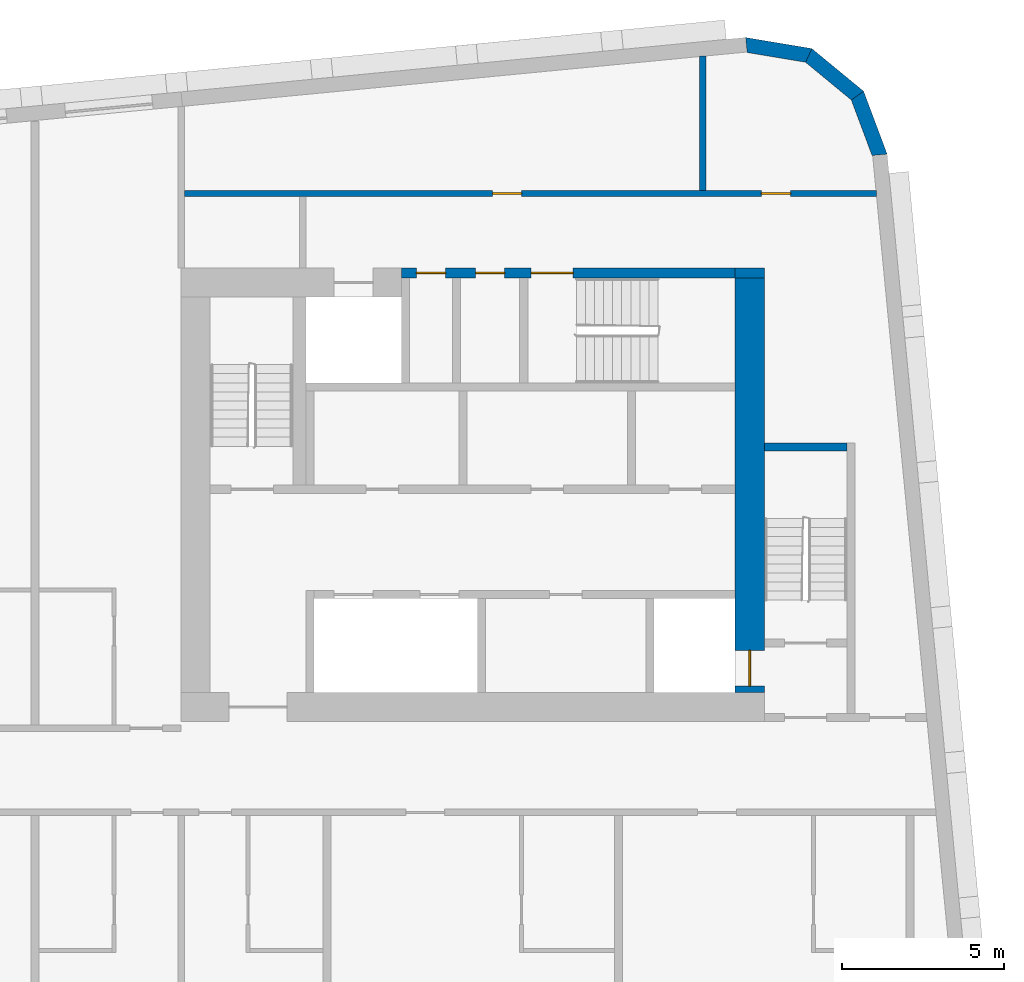
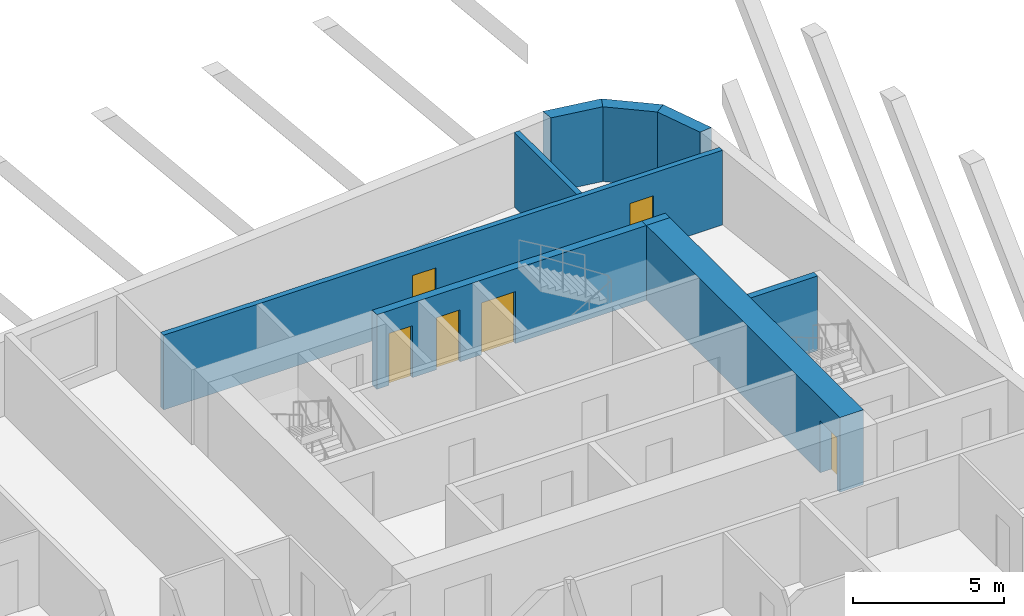
# One storey, part 7 of 12: 9 walls, 6 doors, 6 openings.
"""IFC4 building model written with IfcOpenShell, lengths in metres."""

from ifc_helpers import new_model, si_unit, direction, frame, frame_2d, origin, place, context, subcontext, project, spatial, polyline, rectangle, outline, extrude, material, layer, layer_set, type_object, element, fill, save


model = new_model("IFC4")

# Units and contexts
model_context = context("Model", 3, precision=1e-05, world=origin(), true_north=direction((0.0, 1.0)))
body_context = subcontext(model_context, "Body", "Model", "MODEL_VIEW")
ifc_project = project(units=[si_unit("LENGTHUNIT", "METRE"), si_unit("AREAUNIT", "SQUARE_METRE"), si_unit("VOLUMEUNIT", "CUBIC_METRE"), si_unit("PLANEANGLEUNIT", "RADIAN"), si_unit("MASSUNIT", "GRAM", prefix="KILO")], contexts=[model_context])

# Site, building, storey
site_placement = place(None, origin())
site = spatial("IfcSite", under=ifc_project, at=site_placement, CompositionType="ELEMENT")
building_placement = place(site_placement, origin())
building = spatial("IfcBuilding", under=site, at=building_placement, Name="Kajstack Hotel Tower", CompositionType="ELEMENT")
storey_placement = place(building_placement, frame((0.0, 0.0, 288.300048828125)))
storey = spatial("IfcBuildingStorey", under=building, at=storey_placement, Name="L72", CompositionType="ELEMENT", Elevation=288.300048828125)

# Wall
ifc_material_1 = material(Name="Concrete C60/75", Category="concrete")
ifc_layer_1 = layer(ifc_material_1, 0.89990234375)
ifc_layer_set_1 = layer_set([ifc_layer_1], Name="Core wall 900")
wall_type_1 = type_object("IfcWallType", Name="Core wall 900", PredefinedType="SHEAR", material=ifc_layer_set_1)
wall_1_placement = place(storey_placement, frame((30.60009765625, 15.35009765625, 0.0), z_axis=(0.0, 0.0, 1.0), x_axis=(1.0, 0.0, 0.0)))
element("IfcWall", 1, at=wall_1_placement, inside=storey, type_object=wall_type_1, Name="Core wall E RSW", PredefinedType="SHEAR", context=body_context, shape_type="SweptSolid", body=[
    extrude(rectangle(XDim=0.89990234375, YDim=0.300048828125, at=frame_2d((0.449951171875, 0.0))), origin(), (0.0, 0.0, 1.0), 3.02001953125),
])

# Wall, opening, door
wall_2_placement = place(storey_placement, frame((31.050048828125, 2.39990234375, 0.0), z_axis=(0.0, 0.0, 1.0), x_axis=(0.0, 1.0, 0.0)))
wall_2 = element("IfcWall", 2, at=wall_2_placement, inside=storey, type_object=wall_type_1, Name="Core wall E RW", PredefinedType="SHEAR", context=body_context, shape_type="SweptSolid", body=[
    extrude(rectangle(XDim=12.800048828125, YDim=0.89990234375, at=frame_2d((6.39990234375, 0.0))), origin(), (0.0, 0.0, 1.0), 3.02001953125),
])
opening_1_placement = place(wall_2_placement, frame((0.199951171875, 0.0, 0.0)))
opening_1 = element("IfcOpeningElement", 3, at=opening_1_placement, cuts=wall_2, Name="Opening LD-FF2", PredefinedType="OPENING", context=body_context, shape_type="SweptSolid", body=[
    extrude(rectangle(XDim=1.10009765625, YDim=2.10009765625, at=frame_2d((0.550048828125, 1.050048828125))), frame((0.0, 0.4599609375, 0.0), z_axis=(0.0, -1.0, 0.0), x_axis=(1.0, 0.0, 0.0)), (0.0, 0.0, 1.0), 0.919921875),
])
ifc_material_2 = material(Name="Stainless steel", Category="steel")
door_type_1 = type_object("IfcDoorType", Name="Fire-fighting lift landing door 1100", OperationType="SLIDING_TO_LEFT", PredefinedType="DOOR", material=ifc_material_2)
door_1_placement = place(opening_1_placement, origin())
door_1 = element("IfcDoor", 4, at=door_1_placement, inside=storey, type_object=door_type_1, Name="Landing door FF2", OperationType="SLIDING_TO_LEFT", OverallHeight=2.10009765625, OverallWidth=1.10009765625, PredefinedType="DOOR", context=body_context, shape_type="SweptSolid", body=[
    extrude(rectangle(XDim=1.10009765625, YDim=2.10009765625, at=frame_2d((0.550048828125, 1.050048828125))), frame((0.0, 0.02490234375, 0.0), z_axis=(0.0, -1.0, 0.0), x_axis=(1.0, 0.0, 0.0)), (0.0, 0.0, 1.0), 0.050048828125),
])
fill(opening_1, door_1)

# Walls
ifc_material_3 = material(Name="Terracotta-faced brick masonry", Category="masonry")
ifc_layer_2 = layer(ifc_material_3, 0.449951171875)
ifc_layer_set_2 = layer_set([ifc_layer_2], Name="EW-TERRA")
wall_type_2 = type_object("IfcWallType", Name="EW-TERRA", PredefinedType="SOLIDWALL", material=ifc_layer_set_2)
wall_3_placement = place(storey_placement, frame((35.078369140625, 18.9375, 0.0), z_axis=(0.0, 0.0, 1.0), x_axis=(-0.350192909346, 0.936677599948, 0.0)))
element("IfcWall", 5, at=wall_3_placement, inside=storey, type_object=wall_type_2, Name="E-wall-L72-09-00", PredefinedType="SOLIDWALL", context=body_context, shape_type="SweptSolid", body=[
    extrude(outline(polyline([(0.0, -0.22509765625), (2.070556640625, -0.22509765625), (1.949951171875, 0.224853515625), (0.12060546875, 0.224853515625), (0.0, -0.22509765625)])), origin(), (0.0, 0.0, 1.0), 3.02001953125),
])
wall_4_placement = place(storey_placement, frame((34.4208984375, 20.7822265625, 0.0), z_axis=(0.0, 0.0, 1.0), x_axis=(-0.771593176315, 0.636116318187, 0.0)))
element("IfcWall", 6, at=wall_4_placement, inside=storey, type_object=wall_type_2, Name="E-wall-L72-10-00", PredefinedType="SOLIDWALL", context=body_context, shape_type="SweptSolid", body=[
    extrude(outline(polyline([(0.0, -0.22509765625), (2.070556640625, -0.224853515625), (1.949951171875, 0.22509765625), (0.120361328125, 0.22509765625), (0.0, -0.22509765625)])), origin(), (0.0, 0.0, 1.0), 3.02001953125),
])
wall_5_placement = place(storey_placement, frame((32.92919921875, 22.051025390625, 0.0), z_axis=(0.0, 0.0, 1.0), x_axis=(-0.986298144721, 0.164972633245, 0.0)))
element("IfcWall", 7, at=wall_5_placement, inside=storey, type_object=wall_type_2, Name="E-wall-L72-11-00", PredefinedType="SOLIDWALL", context=body_context, shape_type="SweptSolid", body=[
    extrude(outline(polyline([(0.0, -0.224853515625), (2.0703125, -0.22509765625), (1.949951171875, 0.224853515625), (0.12060546875, 0.22509765625), (0.0, -0.224853515625)])), origin(), (0.0, 0.0, 1.0), 3.02001953125),
])

# Wall, openings, doors
ifc_material_4 = material(Name="Gypsum board on steel studs, mineral wool", Category="steel")
ifc_layer_3 = layer(ifc_material_4, 0.199951171875)
ifc_layer_set_3 = layer_set([ifc_layer_3], Name="Service partition 200")
wall_type_3 = type_object("IfcWallType", Name="Service partition 200", PredefinedType="PARTITIONING", material=ifc_layer_set_3)
wall_6_placement = place(storey_placement, frame((13.60009765625, 17.800048828125, 0.0), z_axis=(0.0, 0.0, 1.0), x_axis=(1.0, 0.0, 0.0)))
wall_6 = element("IfcWall", 8, at=wall_6_placement, inside=storey, type_object=wall_type_3, Name="Partition E SLN", PredefinedType="PARTITIONING", context=body_context, shape_type="SweptSolid", body=[
    extrude(rectangle(XDim=21.35400390625, YDim=0.199951171875, at=frame_2d((10.677001953125, 0.0))), origin(), (0.0, 0.0, 1.0), 3.02001953125),
])
opening_2_placement = place(wall_6_placement, frame((17.8125, 0.0, 0.0)))
opening_2 = element("IfcOpeningElement", 9, at=opening_2_placement, cuts=wall_6, Name="Opening 72E17", PredefinedType="OPENING", context=body_context, shape_type="SweptSolid", body=[
    extrude(rectangle(XDim=0.89990234375, YDim=2.10009765625, at=frame_2d((0.449951171875, 1.050048828125))), frame((0.0, 0.10986328125, 0.0), z_axis=(0.0, -1.0, 0.0), x_axis=(1.0, 0.0, 0.0)), (0.0, 0.0, 1.0), 0.219970703125),
])
opening_3_placement = place(wall_6_placement, frame((9.512451171875, 0.0, 0.0)))
opening_3 = element("IfcOpeningElement", 10, at=opening_3_placement, cuts=wall_6, Name="Opening 72E18", PredefinedType="OPENING", context=body_context, shape_type="SweptSolid", body=[
    extrude(rectangle(XDim=0.89990234375, YDim=2.10009765625, at=frame_2d((0.449951171875, 1.050048828125))), frame((0.0, 0.10986328125, 0.0), z_axis=(0.0, -1.0, 0.0), x_axis=(1.0, 0.0, 0.0)), (0.0, 0.0, 1.0), 0.219970703125),
])
ifc_material_5 = material(Name="Timber leaf, fire-rated", Category="wood")
door_type_2 = type_object("IfcDoorType", Name="Service door 900", OperationType="SINGLE_SWING_LEFT", PredefinedType="DOOR", material=ifc_material_5)
door_2_placement = place(opening_2_placement, origin())
door_2 = element("IfcDoor", 11, at=door_2_placement, inside=storey, type_object=door_type_2, Name="Door 72E17", OperationType="SINGLE_SWING_LEFT", OverallHeight=2.10009765625, OverallWidth=0.89990234375, PredefinedType="DOOR", context=body_context, shape_type="SweptSolid", body=[
    extrude(rectangle(XDim=0.89990234375, YDim=2.10009765625, at=frame_2d((0.449951171875, 1.050048828125))), frame((0.0, 0.02490234375, 0.0), z_axis=(0.0, -1.0, 0.0), x_axis=(1.0, 0.0, 0.0)), (0.0, 0.0, 1.0), 0.050048828125),
])
fill(opening_2, door_2)
door_3_placement = place(opening_3_placement, origin())
door_3 = element("IfcDoor", 12, at=door_3_placement, inside=storey, type_object=door_type_2, Name="Door 72E18", OperationType="SINGLE_SWING_LEFT", OverallHeight=2.10009765625, OverallWidth=0.89990234375, PredefinedType="DOOR", context=body_context, shape_type="SweptSolid", body=[
    extrude(rectangle(XDim=0.89990234375, YDim=2.10009765625, at=frame_2d((0.449951171875, 1.050048828125))), frame((0.0, 0.02490234375, 0.0), z_axis=(0.0, -1.0, 0.0), x_axis=(1.0, 0.0, 0.0)), (0.0, 0.0, 1.0), 0.050048828125),
])
fill(opening_3, door_3)

# Wall
wall_7_placement = place(storey_placement, frame((29.60009765625, 17.89990234375, 0.0), z_axis=(0.0, 0.0, 1.0), x_axis=(0.0, 1.0, 0.0)))
element("IfcWall", 13, at=wall_7_placement, inside=storey, type_object=wall_type_3, Name="Partition E SLP0", PredefinedType="PARTITIONING", context=body_context, shape_type="SweptSolid", body=[
    extrude(rectangle(XDim=4.135986328125, YDim=0.199951171875, at=frame_2d((2.06787109375, 0.0))), origin(), (0.0, 0.0, 1.0), 3.02001953125),
])

# Wall, openings, doors
ifc_material_6 = material(Name="Concrete C50/60", Category="concrete")
ifc_layer_4 = layer(ifc_material_6, 0.25)
ifc_layer_set_4 = layer_set([ifc_layer_4], Name="Shaft wall 250")
wall_type_4 = type_object("IfcWallType", Name="Shaft wall 250", PredefinedType="SHEAR", material=ifc_layer_set_4)
wall_8_placement = place(storey_placement, frame((20.300048828125, 15.35009765625, 0.0), z_axis=(0.0, 0.0, 1.0), x_axis=(1.0, 0.0, 0.0)))
wall_8 = element("IfcWall", 14, at=wall_8_placement, inside=storey, type_object=wall_type_4, Name="Core wall E RSS", PredefinedType="SHEAR", context=body_context, shape_type="SweptSolid", body=[
    extrude(rectangle(XDim=10.300048828125, YDim=0.300048828125, at=frame_2d((5.14990234375, 0.0))), origin(), (0.0, 0.0, 1.0), 3.02001953125),
])
opening_4_placement = place(wall_8_placement, frame((4.0, 0.0, 0.0)))
opening_4 = element("IfcOpeningElement", 15, at=opening_4_placement, cuts=wall_8, Name="Opening 72E10", PredefinedType="OPENING", context=body_context, shape_type="SweptSolid", body=[
    extrude(rectangle(XDim=1.300048828125, YDim=2.10009765625, at=frame_2d((0.64990234375, 1.050048828125))), frame((0.0, 0.159912109375, 0.0), z_axis=(0.0, -1.0, 0.0), x_axis=(1.0, 0.0, 0.0)), (0.0, 0.0, 1.0), 0.320068359375),
])
opening_5_placement = place(wall_8_placement, frame((2.28759765625, 0.0, 0.0)))
opening_5 = element("IfcOpeningElement", 16, at=opening_5_placement, cuts=wall_8, Name="Opening 72E11", PredefinedType="OPENING", context=body_context, shape_type="SweptSolid", body=[
    extrude(rectangle(XDim=0.89990234375, YDim=2.10009765625, at=frame_2d((0.449951171875, 1.050048828125))), frame((0.0, 0.159912109375, 0.0), z_axis=(0.0, -1.0, 0.0), x_axis=(1.0, 0.0, 0.0)), (0.0, 0.0, 1.0), 0.320068359375),
])
opening_6_placement = place(wall_8_placement, frame((0.46240234375, 0.0, 0.0)))
opening_6 = element("IfcOpeningElement", 17, at=opening_6_placement, cuts=wall_8, Name="Opening 72E12", PredefinedType="OPENING", context=body_context, shape_type="SweptSolid", body=[
    extrude(rectangle(XDim=0.89990234375, YDim=2.10009765625, at=frame_2d((0.449951171875, 1.050048828125))), frame((0.0, 0.159912109375, 0.0), z_axis=(0.0, -1.0, 0.0), x_axis=(1.0, 0.0, 0.0)), (0.0, 0.0, 1.0), 0.320068359375),
])
door_4_placement = place(opening_5_placement, origin())
door_4 = element("IfcDoor", 18, at=door_4_placement, inside=storey, type_object=door_type_2, Name="Door 72E11", OperationType="SINGLE_SWING_RIGHT", OverallHeight=2.10009765625, OverallWidth=0.89990234375, PredefinedType="DOOR", context=body_context, shape_type="SweptSolid", body=[
    extrude(rectangle(XDim=0.89990234375, YDim=2.10009765625, at=frame_2d((0.449951171875, 1.050048828125))), frame((0.0, 0.02490234375, 0.0), z_axis=(0.0, -1.0, 0.0), x_axis=(1.0, 0.0, 0.0)), (0.0, 0.0, 1.0), 0.050048828125),
])
fill(opening_5, door_4)
door_5_placement = place(opening_6_placement, origin())
door_5 = element("IfcDoor", 19, at=door_5_placement, inside=storey, type_object=door_type_2, Name="Door 72E12", OperationType="SINGLE_SWING_RIGHT", OverallHeight=2.10009765625, OverallWidth=0.89990234375, PredefinedType="DOOR", context=body_context, shape_type="SweptSolid", body=[
    extrude(rectangle(XDim=0.89990234375, YDim=2.10009765625, at=frame_2d((0.449951171875, 1.050048828125))), frame((0.0, 0.02490234375, 0.0), z_axis=(0.0, -1.0, 0.0), x_axis=(1.0, 0.0, 0.0)), (0.0, 0.0, 1.0), 0.050048828125),
])
fill(opening_6, door_5)
ifc_material_7 = material(Name="Steel leaf, fire-rated", Category="steel")
door_type_3 = type_object("IfcDoorType", Name="Stair door 1300", OperationType="SINGLE_SWING_LEFT", PredefinedType="DOOR", material=ifc_material_7)
door_6_placement = place(opening_4_placement, origin())
door_6 = element("IfcDoor", 20, at=door_6_placement, inside=storey, type_object=door_type_3, Name="Door 72E10", OperationType="SINGLE_SWING_LEFT", OverallHeight=2.10009765625, OverallWidth=1.300048828125, PredefinedType="DOOR", context=body_context, shape_type="SweptSolid", body=[
    extrude(rectangle(XDim=1.300048828125, YDim=2.10009765625, at=frame_2d((0.64990234375, 1.050048828125))), frame((0.0, 0.02490234375, 0.0), z_axis=(0.0, -1.0, 0.0), x_axis=(1.0, 0.0, 0.0)), (0.0, 0.0, 1.0), 0.050048828125),
])
fill(opening_4, door_6)

# Wall
ifc_material_8 = material(Name="Concrete C40/50", Category="concrete")
ifc_layer_5 = layer(ifc_material_8, 0.25)
ifc_layer_set_5 = layer_set([ifc_layer_5], Name="Stair enclosure wall 250")
wall_type_5 = type_object("IfcWallType", Name="Stair enclosure wall 250", PredefinedType="SHEAR", material=ifc_layer_set_5)
wall_9_placement = place(storey_placement, frame((31.5, 9.97509765625, 0.0), z_axis=(0.0, 0.0, 1.0), x_axis=(1.0, 0.0, 0.0)))
element("IfcWall", 21, at=wall_9_placement, inside=storey, type_object=wall_type_5, Name="Core wall E W1S", PredefinedType="SHEAR", context=body_context, shape_type="SweptSolid", body=[
    extrude(rectangle(XDim=2.550048828125, YDim=0.25, at=frame_2d((1.27490234375, 0.0))), origin(), (0.0, 0.0, 1.0), 3.02001953125),
])

save(model, "model.ifc")
